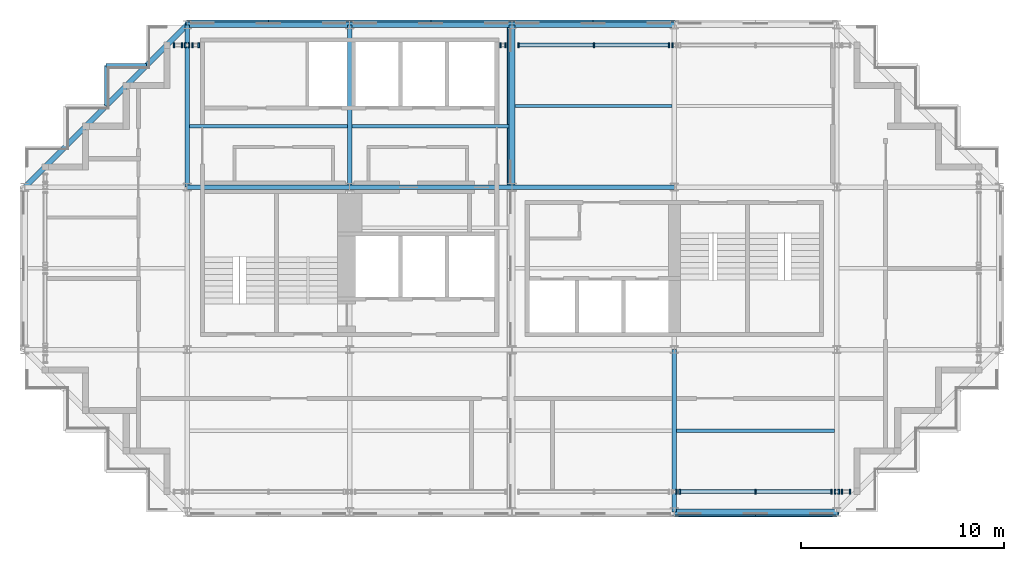
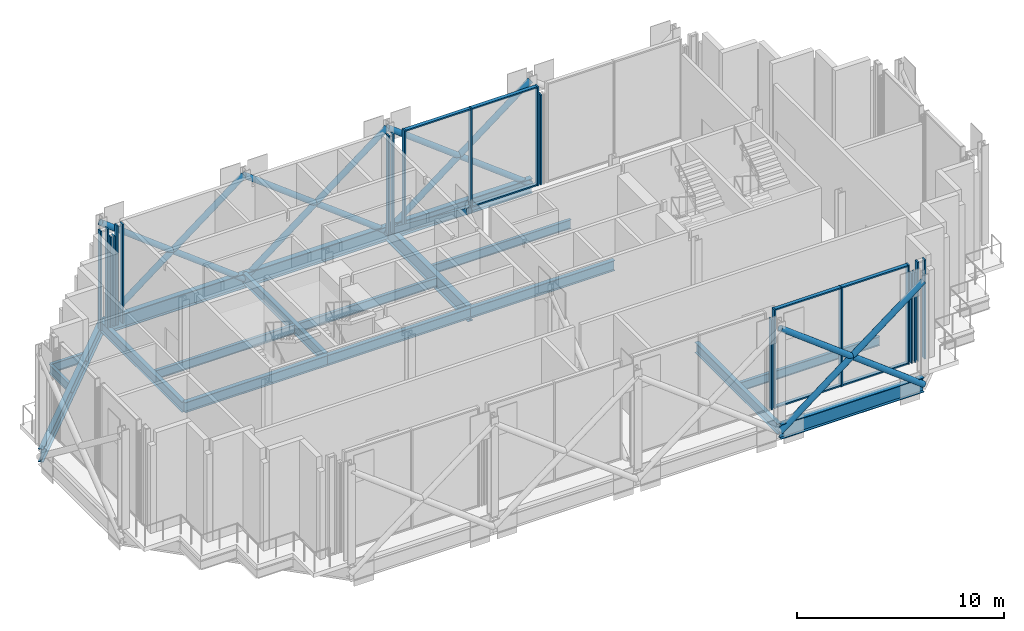
# One storey, part 3 of 16: 37 members, 18 beams, 10 elements without a shape of their own.
"""IFC4 building model written with IfcOpenShell, lengths in metres."""

from ifc_helpers import new_model, si_unit, direction, frame, origin, origin_2d, place, context, subcontext, project, spatial, rectangle, hollow_circle, i_section, extrude, material, material_profile, profile_set, type_object, element, aggregate, save


model = new_model("IFC4")

# Units and contexts
model_context = context("Model", 3, precision=1e-05, world=origin(), true_north=direction((0.0, 1.0)))
body_context = subcontext(model_context, "Body", "Model", "MODEL_VIEW")
ifc_project = project(units=[si_unit("LENGTHUNIT", "METRE"), si_unit("AREAUNIT", "SQUARE_METRE"), si_unit("VOLUMEUNIT", "CUBIC_METRE"), si_unit("PLANEANGLEUNIT", "RADIAN"), si_unit("MASSUNIT", "GRAM", prefix="KILO")], contexts=[model_context])

# Site, building, storey
site_placement = place(None, origin())
site = spatial("IfcSite", under=ifc_project, at=site_placement, CompositionType="ELEMENT")
building_placement = place(site_placement, origin())
building = spatial("IfcBuilding", under=site, at=building_placement, Name="Immortelle Media Tower", CompositionType="ELEMENT")
storey_placement = place(building_placement, frame((0.0, 0.0, 241.0)))
storey = spatial("IfcBuildingStorey", under=building, at=storey_placement, Name="L52", CompositionType="ELEMENT", Elevation=241.0)

# Members
ifc_material_1 = material(Name="Steel ASTM A500 Gr C", Category="steel")
ifc_material_profile_1 = material_profile(ifc_material_1, hollow_circle(Radius=0.162109375, WallThickness=0.011962890625, at=origin_2d()), Name="HSS12.750x0.500 truss diagonal")
ifc_profile_set_1 = profile_set([ifc_material_profile_1], Name="Steel ASTM A500 Gr C")
member_type_1 = type_object("IfcMemberType", Name="HSS12.750x0.500 truss diagonal", PredefinedType="BRACE", material=ifc_profile_set_1)
for number, where, z_axis, x_axis, name in (
    (1, (8.0, 24.072021484375, -0.679443359375), (0.794660608453, 0.0, 0.607053965783), (0.0, 1.0, 0.0), "Belt truss D/2-3 A"),
    (2, (8.0, 24.072021484375, 5.431884765625), (0.794660608453, 0.0, -0.607053965783), (0.0, 1.0, 0.0), "Belt truss D/2-3 B"),
    (3, (16.0, 24.072021484375, -0.679443359375), (0.794660608453, 0.0, 0.607053965783), (0.0, 1.0, 0.0), "Belt truss D/3-4 A"),
    (4, (16.0, 24.072021484375, 5.431884765625), (0.794660608453, 0.0, -0.607053965783), (0.0, 1.0, 0.0), "Belt truss D/3-4 B"),
    (5, (23.927978515625, 16.0, 5.431884765625), (0.0, 0.794660608453, -0.607053965783), (-1.0, 0.0, 0.0), "Belt truss 4/C-D B"),
    (6, (24.0, 24.072021484375, -0.679443359375), (0.794660608453, 0.0, 0.607053965783), (0.0, 1.0, 0.0), "Belt truss D/4-5 A"),
    (7, (24.0, 24.072021484375, 5.431884765625), (0.794660608453, 0.0, -0.607053965783), (0.0, 1.0, 0.0), "Belt truss D/4-5 B"),
    (8, (32.0, -0.072021484375, -0.679443359375), (0.794660608453, 0.0, 0.607053965783), (0.0, 1.0, 0.0), "Belt truss A/5-6 A"),
    (9, (32.0, -0.072021484375, 5.431884765625), (0.794660608453, 0.0, -0.607053965783), (0.0, 1.0, 0.0), "Belt truss A/5-6 B"),
):
    element("IfcMember", number, at=place(storey_placement, frame(where, z_axis=z_axis, x_axis=x_axis)), inside=storey, type_object=member_type_1, Name=name, PredefinedType="BRACE", context=body_context, shape_type="SweptSolid", body=[
        extrude(hollow_circle(Radius=0.162109375, WallThickness=0.011962890625, at=origin_2d()), origin(), (0.0, 0.0, 1.0), 10.067138671875),
    ])

# Curtain wall, member
ifc_material_2 = material(Name="Aluminium curtain wall system", Category="aluminium")
curtain_wall_type = type_object("IfcCurtainWallType", Name="Plant louvre wall curtain wall", PredefinedType="NOTDEFINED", material=ifc_material_2)
curtain_wall_1_placement = place(storey_placement, origin())
curtain_wall_1 = element("IfcCurtainWall", 10, at=curtain_wall_1_placement, inside=storey, type_object=curtain_wall_type, Name="Plant louvre wall L52 S 7-8", PredefinedType="NOTDEFINED")
ifc_material_3 = material(Name="Aluminium 6063-T6", Category="aluminium")
ifc_material_profile_2 = material_profile(ifc_material_3, rectangle(XDim=0.25, YDim=0.080078125, at=origin_2d()), Name="AL 80x250")
ifc_profile_set_2 = profile_set([ifc_material_profile_2], Name="Aluminium 6063-T6")
member_type_2 = type_object("IfcMemberType", Name="Plant louvre wall mullion 80 x 250", PredefinedType="MULLION", material=ifc_profile_set_2)
member_1_placement = place(storey_placement, frame((32.093505859375, 1.0, 0.0), z_axis=(0.0, 0.0, 1.0), x_axis=(0.0, 1.0, 0.0)))
member_1 = element("IfcMember", 11, at=member_1_placement, type_object=member_type_2, Name="CW6 mullion 2", PredefinedType="MULLION", context=body_context, shape_type="SweptSolid", body=[
    extrude(rectangle(XDim=0.25, YDim=0.080078125, at=origin_2d()), origin(), (0.0, 0.0, 1.0), 5.3134765625),
])
aggregate(curtain_wall_1, [member_1])

# Curtain wall, members
curtain_wall_2_placement = place(storey_placement, origin())
curtain_wall_2 = element("IfcCurtainWall", 12, at=curtain_wall_2_placement, inside=storey, type_object=curtain_wall_type, Name="Plant louvre wall L52 S 7-9", PredefinedType="NOTDEFINED")
member_2_placement = place(storey_placement, frame((32.263427734375, 1.0, 0.0), z_axis=(0.0, 0.0, 1.0), x_axis=(0.0, 1.0, 0.0)))
member_2 = element("IfcMember", 13, at=member_2_placement, type_object=member_type_2, Name="CW6 mullion 1", PredefinedType="MULLION", context=body_context, shape_type="SweptSolid", body=[
    extrude(rectangle(XDim=0.25, YDim=0.080078125, at=origin_2d()), origin(), (0.0, 0.0, 1.0), 5.849609375),
])
member_3_placement = place(storey_placement, frame((36.0, 1.0, 0.0), z_axis=(0.0, 0.0, 1.0), x_axis=(0.0, 1.0, 0.0)))
member_3 = element("IfcMember", 14, at=member_3_placement, type_object=member_type_2, Name="CW6 mullion 2", PredefinedType="MULLION", context=body_context, shape_type="SweptSolid", body=[
    extrude(rectangle(XDim=0.25, YDim=0.080078125, at=origin_2d()), origin(), (0.0, 0.0, 1.0), 5.849609375),
])
member_4_placement = place(storey_placement, frame((39.736572265625, 1.0, 0.0), z_axis=(0.0, 0.0, 1.0), x_axis=(0.0, 1.0, 0.0)))
member_4 = element("IfcMember", 15, at=member_4_placement, type_object=member_type_2, Name="CW6 mullion 3", PredefinedType="MULLION", context=body_context, shape_type="SweptSolid", body=[
    extrude(rectangle(XDim=0.25, YDim=0.080078125, at=origin_2d()), origin(), (0.0, 0.0, 1.0), 5.849609375),
])

curtain_wall_3_placement = place(storey_placement, origin())
curtain_wall_3 = element("IfcCurtainWall", 16, at=curtain_wall_3_placement, inside=storey, type_object=curtain_wall_type, Name="Plant louvre wall L52 S 7-10", PredefinedType="NOTDEFINED")
member_5_placement = place(storey_placement, frame((39.906494140625, 1.0, 0.0), z_axis=(0.0, 0.0, 1.0), x_axis=(0.0, 1.0, 0.0)))
member_5 = element("IfcMember", 17, at=member_5_placement, type_object=member_type_2, Name="CW6 mullion 1", PredefinedType="MULLION", context=body_context, shape_type="SweptSolid", body=[
    extrude(rectangle(XDim=0.25, YDim=0.080078125, at=origin_2d()), origin(), (0.0, 0.0, 1.0), 5.3134765625),
])
member_6_placement = place(storey_placement, frame((40.093505859375, 1.0, 0.0), z_axis=(0.0, 0.0, 1.0), x_axis=(0.0, 1.0, 0.0)))
member_6 = element("IfcMember", 18, at=member_6_placement, type_object=member_type_2, Name="CW6 mullion 2", PredefinedType="MULLION", context=body_context, shape_type="SweptSolid", body=[
    extrude(rectangle(XDim=0.25, YDim=0.080078125, at=origin_2d()), origin(), (0.0, 0.0, 1.0), 5.3134765625),
])
aggregate(curtain_wall_3, [member_5, member_6])

curtain_wall_4_placement = place(storey_placement, origin())
curtain_wall_4 = element("IfcCurtainWall", 19, at=curtain_wall_4_placement, inside=storey, type_object=curtain_wall_type, Name="Plant louvre wall L52 S 7-11", PredefinedType="NOTDEFINED")
member_7_placement = place(storey_placement, frame((40.263427734375, 1.0, 0.0), z_axis=(0.0, 0.0, 1.0), x_axis=(0.0, 1.0, 0.0)))
member_7 = element("IfcMember", 20, at=member_7_placement, type_object=member_type_2, Name="CW6 mullion 1", PredefinedType="MULLION", context=body_context, shape_type="SweptSolid", body=[
    extrude(rectangle(XDim=0.25, YDim=0.080078125, at=origin_2d()), origin(), (0.0, 0.0, 1.0), 5.849609375),
])
member_8_placement = place(storey_placement, frame((40.64111328125, 1.0, 0.0), z_axis=(0.0, 0.0, 1.0), x_axis=(0.0, 1.0, 0.0)))
member_8 = element("IfcMember", 21, at=member_8_placement, type_object=member_type_2, Name="CW6 mullion 2", PredefinedType="MULLION", context=body_context, shape_type="SweptSolid", body=[
    extrude(rectangle(XDim=0.25, YDim=0.080078125, at=origin_2d()), origin(), (0.0, 0.0, 1.0), 5.849609375),
])
aggregate(curtain_wall_4, [member_7, member_8])

# Curtain wall, member
curtain_wall_5_placement = place(storey_placement, origin())
curtain_wall_5 = element("IfcCurtainWall", 22, at=curtain_wall_5_placement, inside=storey, type_object=curtain_wall_type, Name="Plant louvre wall L52 N 21-5", PredefinedType="NOTDEFINED")
member_9_placement = place(storey_placement, frame((31.906494140625, 23.0, 0.0), z_axis=(0.0, 0.0, 1.0), x_axis=(0.0, -1.0, 0.0)))
member_9 = element("IfcMember", 23, at=member_9_placement, type_object=member_type_2, Name="CW6 mullion 2", PredefinedType="MULLION", context=body_context, shape_type="SweptSolid", body=[
    extrude(rectangle(XDim=0.25, YDim=0.080078125, at=origin_2d()), origin(), (0.0, 0.0, 1.0), 5.3134765625),
])
aggregate(curtain_wall_5, [member_9])

# Curtain wall, members
curtain_wall_6_placement = place(storey_placement, origin())
curtain_wall_6 = element("IfcCurtainWall", 24, at=curtain_wall_6_placement, inside=storey, type_object=curtain_wall_type, Name="Plant louvre wall L52 N 21-6", PredefinedType="NOTDEFINED")
member_10_placement = place(storey_placement, frame((31.736572265625, 23.0, 0.0), z_axis=(0.0, 0.0, 1.0), x_axis=(0.0, -1.0, 0.0)))
member_10 = element("IfcMember", 25, at=member_10_placement, type_object=member_type_2, Name="CW6 mullion 1", PredefinedType="MULLION", context=body_context, shape_type="SweptSolid", body=[
    extrude(rectangle(XDim=0.25, YDim=0.080078125, at=origin_2d()), origin(), (0.0, 0.0, 1.0), 5.849609375),
])
member_11_placement = place(storey_placement, frame((28.03125, 23.0, 0.0), z_axis=(0.0, 0.0, 1.0), x_axis=(0.0, -1.0, 0.0)))
member_11 = element("IfcMember", 26, at=member_11_placement, type_object=member_type_2, Name="CW6 mullion 2", PredefinedType="MULLION", context=body_context, shape_type="SweptSolid", body=[
    extrude(rectangle(XDim=0.25, YDim=0.080078125, at=origin_2d()), origin(), (0.0, 0.0, 1.0), 5.849609375),
])
member_12_placement = place(storey_placement, frame((24.325927734375, 23.0, 0.0), z_axis=(0.0, 0.0, 1.0), x_axis=(0.0, -1.0, 0.0)))
member_12 = element("IfcMember", 27, at=member_12_placement, type_object=member_type_2, Name="CW6 mullion 3", PredefinedType="MULLION", context=body_context, shape_type="SweptSolid", body=[
    extrude(rectangle(XDim=0.25, YDim=0.080078125, at=origin_2d()), origin(), (0.0, 0.0, 1.0), 5.849609375),
])

curtain_wall_7_placement = place(storey_placement, origin())
curtain_wall_7 = element("IfcCurtainWall", 28, at=curtain_wall_7_placement, inside=storey, type_object=curtain_wall_type, Name="Plant louvre wall L52 N 21-7", PredefinedType="NOTDEFINED")
member_13_placement = place(storey_placement, frame((23.674072265625, 23.0, 0.0), z_axis=(0.0, 0.0, 1.0), x_axis=(0.0, -1.0, 0.0)))
member_13 = element("IfcMember", 29, at=member_13_placement, type_object=member_type_2, Name="CW6 mullion 1", PredefinedType="MULLION", context=body_context, shape_type="SweptSolid", body=[
    extrude(rectangle(XDim=0.25, YDim=0.080078125, at=origin_2d()), origin(), (0.0, 0.0, 1.0), 5.849609375),
])
member_14_placement = place(storey_placement, frame((23.429443359375, 23.0, 0.0), z_axis=(0.0, 0.0, 1.0), x_axis=(0.0, -1.0, 0.0)))
member_14 = element("IfcMember", 30, at=member_14_placement, type_object=member_type_2, Name="CW6 mullion 2", PredefinedType="MULLION", context=body_context, shape_type="SweptSolid", body=[
    extrude(rectangle(XDim=0.25, YDim=0.080078125, at=origin_2d()), origin(), (0.0, 0.0, 1.0), 5.849609375),
])
aggregate(curtain_wall_7, [member_13, member_14])

curtain_wall_8_placement = place(storey_placement, origin())
curtain_wall_8 = element("IfcCurtainWall", 31, at=curtain_wall_8_placement, inside=storey, type_object=curtain_wall_type, Name="Plant louvre wall L52 N 21-8", PredefinedType="NOTDEFINED")
member_15_placement = place(storey_placement, frame((8.570556640625, 23.0, 0.0), z_axis=(0.0, 0.0, 1.0), x_axis=(0.0, -1.0, 0.0)))
member_15 = element("IfcMember", 32, at=member_15_placement, type_object=member_type_2, Name="CW6 mullion 1", PredefinedType="MULLION", context=body_context, shape_type="SweptSolid", body=[
    extrude(rectangle(XDim=0.25, YDim=0.080078125, at=origin_2d()), origin(), (0.0, 0.0, 1.0), 5.849609375),
])
member_16_placement = place(storey_placement, frame((8.263427734375, 23.0, 0.0), z_axis=(0.0, 0.0, 1.0), x_axis=(0.0, -1.0, 0.0)))
member_16 = element("IfcMember", 33, at=member_16_placement, type_object=member_type_2, Name="CW6 mullion 2", PredefinedType="MULLION", context=body_context, shape_type="SweptSolid", body=[
    extrude(rectangle(XDim=0.25, YDim=0.080078125, at=origin_2d()), origin(), (0.0, 0.0, 1.0), 5.849609375),
])
aggregate(curtain_wall_8, [member_15, member_16])

curtain_wall_9_placement = place(storey_placement, origin())
curtain_wall_9 = element("IfcCurtainWall", 34, at=curtain_wall_9_placement, inside=storey, type_object=curtain_wall_type, Name="Plant louvre wall L52 N 21-9", PredefinedType="NOTDEFINED")
member_17_placement = place(storey_placement, frame((8.093505859375, 23.0, 0.0), z_axis=(0.0, 0.0, 1.0), x_axis=(0.0, -1.0, 0.0)))
member_17 = element("IfcMember", 35, at=member_17_placement, type_object=member_type_2, Name="CW6 mullion 1", PredefinedType="MULLION", context=body_context, shape_type="SweptSolid", body=[
    extrude(rectangle(XDim=0.25, YDim=0.080078125, at=origin_2d()), origin(), (0.0, 0.0, 1.0), 5.3134765625),
])
member_18_placement = place(storey_placement, frame((7.906494140625, 23.0, 0.0), z_axis=(0.0, 0.0, 1.0), x_axis=(0.0, -1.0, 0.0)))
member_18 = element("IfcMember", 36, at=member_18_placement, type_object=member_type_2, Name="CW6 mullion 2", PredefinedType="MULLION", context=body_context, shape_type="SweptSolid", body=[
    extrude(rectangle(XDim=0.25, YDim=0.080078125, at=origin_2d()), origin(), (0.0, 0.0, 1.0), 5.3134765625),
])
aggregate(curtain_wall_9, [member_17, member_18])

curtain_wall_10_placement = place(storey_placement, origin())
curtain_wall_10 = element("IfcCurtainWall", 37, at=curtain_wall_10_placement, inside=storey, type_object=curtain_wall_type, Name="Plant louvre wall L52 N 21-10", PredefinedType="NOTDEFINED")
member_19_placement = place(storey_placement, frame((7.736572265625, 23.0, 0.0), z_axis=(0.0, 0.0, 1.0), x_axis=(0.0, -1.0, 0.0)))
member_19 = element("IfcMember", 38, at=member_19_placement, type_object=member_type_2, Name="CW6 mullion 1", PredefinedType="MULLION", context=body_context, shape_type="SweptSolid", body=[
    extrude(rectangle(XDim=0.25, YDim=0.080078125, at=origin_2d()), origin(), (0.0, 0.0, 1.0), 5.849609375),
])
member_20_placement = place(storey_placement, frame((7.35888671875, 23.0, 0.0), z_axis=(0.0, 0.0, 1.0), x_axis=(0.0, -1.0, 0.0)))
member_20 = element("IfcMember", 39, at=member_20_placement, type_object=member_type_2, Name="CW6 mullion 2", PredefinedType="MULLION", context=body_context, shape_type="SweptSolid", body=[
    extrude(rectangle(XDim=0.25, YDim=0.080078125, at=origin_2d()), origin(), (0.0, 0.0, 1.0), 5.849609375),
])
aggregate(curtain_wall_10, [member_19, member_20])

# Member
ifc_material_profile_3 = material_profile(ifc_material_3, rectangle(XDim=0.199951171875, YDim=0.080078125, at=origin_2d()), Name="AL 80x200")
ifc_profile_set_3 = profile_set([ifc_material_profile_3], Name="Aluminium 6063-T6")
member_type_3 = type_object("IfcMemberType", Name="Plant louvre wall transom 80 x 200", PredefinedType="USERDEFINED", material=ifc_profile_set_3)
member_21_placement = place(storey_placement, frame((32.303466796875, 1.0, 0.0400390625), z_axis=(1.0, 0.0, 0.0), x_axis=(0.0, 1.0, 0.0)))
member_21 = element("IfcMember", 40, at=member_21_placement, type_object=member_type_3, Name="CW6 transom 1.1", ObjectType="TRANSOM", PredefinedType="USERDEFINED", context=body_context, shape_type="SweptSolid", body=[
    extrude(rectangle(XDim=0.199951171875, YDim=0.080078125, at=origin_2d()), origin(), (0.0, 0.0, 1.0), 3.656494140625),
])

member_22_placement = place(storey_placement, frame((32.303466796875, 1.0, 5.8095703125), z_axis=(1.0, 0.0, 0.0), x_axis=(0.0, 1.0, 0.0)))
member_22 = element("IfcMember", 41, at=member_22_placement, type_object=member_type_3, Name="CW6 transom 1.2", ObjectType="TRANSOM", PredefinedType="USERDEFINED", context=body_context, shape_type="SweptSolid", body=[
    extrude(rectangle(XDim=0.199951171875, YDim=0.080078125, at=origin_2d()), origin(), (0.0, 0.0, 1.0), 3.656494140625),
])

member_23_placement = place(storey_placement, frame((36.0400390625, 1.0, 0.0400390625), z_axis=(1.0, 0.0, 0.0), x_axis=(0.0, 1.0, 0.0)))
member_23 = element("IfcMember", 42, at=member_23_placement, type_object=member_type_3, Name="CW6 transom 2.1", ObjectType="TRANSOM", PredefinedType="USERDEFINED", context=body_context, shape_type="SweptSolid", body=[
    extrude(rectangle(XDim=0.199951171875, YDim=0.080078125, at=origin_2d()), origin(), (0.0, 0.0, 1.0), 3.656494140625),
])

member_24_placement = place(storey_placement, frame((36.0400390625, 1.0, 5.8095703125), z_axis=(1.0, 0.0, 0.0), x_axis=(0.0, 1.0, 0.0)))
member_24 = element("IfcMember", 43, at=member_24_placement, type_object=member_type_3, Name="CW6 transom 2.2", ObjectType="TRANSOM", PredefinedType="USERDEFINED", context=body_context, shape_type="SweptSolid", body=[
    extrude(rectangle(XDim=0.199951171875, YDim=0.080078125, at=origin_2d()), origin(), (0.0, 0.0, 1.0), 3.656494140625),
])

aggregate(curtain_wall_2, [member_2, member_3, member_4, member_21, member_22, member_23, member_24])

member_25_placement = place(storey_placement, frame((31.696533203125, 23.0, 0.0400390625), z_axis=(-1.0, 0.0, 0.0), x_axis=(0.0, -1.0, 0.0)))
member_25 = element("IfcMember", 44, at=member_25_placement, type_object=member_type_3, Name="CW6 transom 1.1", ObjectType="TRANSOM", PredefinedType="USERDEFINED", context=body_context, shape_type="SweptSolid", body=[
    extrude(rectangle(XDim=0.199951171875, YDim=0.080078125, at=origin_2d()), origin(), (0.0, 0.0, 1.0), 3.625244140625),
])

member_26_placement = place(storey_placement, frame((31.696533203125, 23.0, 5.8095703125), z_axis=(-1.0, 0.0, 0.0), x_axis=(0.0, -1.0, 0.0)))
member_26 = element("IfcMember", 45, at=member_26_placement, type_object=member_type_3, Name="CW6 transom 1.2", ObjectType="TRANSOM", PredefinedType="USERDEFINED", context=body_context, shape_type="SweptSolid", body=[
    extrude(rectangle(XDim=0.199951171875, YDim=0.080078125, at=origin_2d()), origin(), (0.0, 0.0, 1.0), 3.625244140625),
])

member_27_placement = place(storey_placement, frame((27.9912109375, 23.0, 0.0400390625), z_axis=(-1.0, 0.0, 0.0), x_axis=(0.0, -1.0, 0.0)))
member_27 = element("IfcMember", 46, at=member_27_placement, type_object=member_type_3, Name="CW6 transom 2.1", ObjectType="TRANSOM", PredefinedType="USERDEFINED", context=body_context, shape_type="SweptSolid", body=[
    extrude(rectangle(XDim=0.199951171875, YDim=0.080078125, at=origin_2d()), origin(), (0.0, 0.0, 1.0), 3.625244140625),
])

member_28_placement = place(storey_placement, frame((27.9912109375, 23.0, 5.8095703125), z_axis=(-1.0, 0.0, 0.0), x_axis=(0.0, -1.0, 0.0)))
member_28 = element("IfcMember", 47, at=member_28_placement, type_object=member_type_3, Name="CW6 transom 2.2", ObjectType="TRANSOM", PredefinedType="USERDEFINED", context=body_context, shape_type="SweptSolid", body=[
    extrude(rectangle(XDim=0.199951171875, YDim=0.080078125, at=origin_2d()), origin(), (0.0, 0.0, 1.0), 3.625244140625),
])

aggregate(curtain_wall_6, [member_10, member_11, member_12, member_25, member_26, member_27, member_28])

# Beams
ifc_material_4 = material(Name="Steel ASTM A992 Gr 50", Category="steel")
ifc_material_profile_4 = material_profile(ifc_material_4, i_section(OverallWidth=0.1650390625, OverallDepth=0.52587890625, WebThickness=0.009033203125, FlangeThickness=0.010986328125, at=origin_2d()), Name="W21x44")
ifc_profile_set_4 = profile_set([ifc_material_profile_4], Name="Steel ASTM A992 Gr 50")
beam_type_1 = type_object("IfcBeamType", Name="W21x44 secondary beam", PredefinedType="JOIST", material=ifc_profile_set_4)
for number, where, z_axis, x_axis, name in (
    (48, (32.114501953125, 4.0, -0.512939453125), (1.0, 0.0, 0.0), (0.0, 1.0, 0.0), "Beam A-B/5-6"),
    (49, (8.114501953125, 19.0, -0.512939453125), (1.0, 0.0, 0.0), (0.0, 1.0, 0.0), "Beam C-D/2-3"),
):
    element("IfcBeam", number, at=place(storey_placement, frame(where, z_axis=z_axis, x_axis=x_axis)), inside=storey, type_object=beam_type_1, Name=name, PredefinedType="JOIST", context=body_context, shape_type="SweptSolid", body=[
        extrude(i_section(OverallWidth=0.1650390625, OverallDepth=0.52587890625, WebThickness=0.009033203125, FlangeThickness=0.010986328125, at=origin_2d()), origin(), (0.0, 0.0, 1.0), 7.77099609375),
    ])
for number, where, z_axis, x_axis, name in (
    (50, (16.114501953125, 19.0, -0.512939453125), (1.0, 0.0, 0.0), (0.0, 1.0, 0.0), "Beam C-D/3-4"),
    (51, (24.14599609375, 20.0, -0.512939453125), (1.0, 0.0, 0.0), (0.0, 1.0, 0.0), "Beam C-D/4-5"),
):
    element("IfcBeam", number, at=place(storey_placement, frame(where, z_axis=z_axis, x_axis=x_axis)), inside=storey, type_object=beam_type_1, Name=name, PredefinedType="JOIST", context=body_context, shape_type="SweptSolid", body=[
        extrude(i_section(OverallWidth=0.1650390625, OverallDepth=0.52587890625, WebThickness=0.009033203125, FlangeThickness=0.010986328125, at=origin_2d()), origin(), (0.0, 0.0, 1.0), 7.739501953125),
    ])
ifc_material_profile_5 = material_profile(ifc_material_4, i_section(OverallWidth=0.1650390625, OverallDepth=0.52587890625, WebThickness=0.009033203125, FlangeThickness=0.010986328125, at=origin_2d()), Name="W21x44")
ifc_profile_set_5 = profile_set([ifc_material_profile_5], Name="Steel ASTM A992 Gr 50")
beam_type_2 = type_object("IfcBeamType", Name="W21x44 serration edge beam", PredefinedType="SPANDREL", material=ifc_profile_set_5)
for number, where, z_axis, x_axis, name in (
    (52, (4.0, 20.0, -0.512939453125), (0.0, 1.0, 0.0), (-1.0, 0.0, 0.0), "Corner edge beam 3 at 1/D"),
    (53, (4.0, 22.0, -0.512939453125), (1.0, 0.0, 0.0), (0.0, 1.0, 0.0), "Corner edge beam 4 at 1/D"),
):
    element("IfcBeam", number, at=place(storey_placement, frame(where, z_axis=z_axis, x_axis=x_axis)), inside=storey, type_object=beam_type_2, Name=name, PredefinedType="SPANDREL", context=body_context, shape_type="SweptSolid", body=[
        extrude(i_section(OverallWidth=0.1650390625, OverallDepth=0.52587890625, WebThickness=0.009033203125, FlangeThickness=0.010986328125, at=origin_2d()), origin(), (0.0, 0.0, 1.0), 2.0),
    ])
ifc_material_profile_6 = material_profile(ifc_material_4, i_section(OverallWidth=0.22900390625, OverallDepth=0.612060546875, WebThickness=0.011962890625, FlangeThickness=0.02001953125, at=origin_2d()), Name="W24x84")
ifc_profile_set_6 = profile_set([ifc_material_profile_6], Name="Steel ASTM A992 Gr 50")
beam_type_3 = type_object("IfcBeamType", Name="W24x84 girder", PredefinedType="BEAM", material=ifc_profile_set_6)
for number, where, z_axis, x_axis, name in (
    (54, (8.0, 16.0, -0.555908203125), (1.0, 0.0, 0.0), (0.0, 1.0, 0.0), "Girder C/2-3"),
    (55, (8.0, 16.0, -0.555908203125), (0.0, 1.0, 0.0), (-1.0, 0.0, 0.0), "Girder 2/C-D"),
    (56, (16.0, 16.0, -0.555908203125), (1.0, 0.0, 0.0), (0.0, 1.0, 0.0), "Girder C/3-4"),
    (57, (16.0, 16.0, -0.555908203125), (0.0, 1.0, 0.0), (-1.0, 0.0, 0.0), "Girder 3/C-D"),
    (58, (24.0, 16.0, -0.555908203125), (1.0, 0.0, 0.0), (0.0, 1.0, 0.0), "Girder C/4-5"),
    (59, (32.0, 0.0, -0.555908203125), (0.0, 1.0, 0.0), (-1.0, 0.0, 0.0), "Girder 5/A-B"),
):
    element("IfcBeam", number, at=place(storey_placement, frame(where, z_axis=z_axis, x_axis=x_axis)), inside=storey, type_object=beam_type_3, Name=name, PredefinedType="BEAM", context=body_context, shape_type="SweptSolid", body=[
        extrude(i_section(OverallWidth=0.22900390625, OverallDepth=0.612060546875, WebThickness=0.011962890625, FlangeThickness=0.02001953125, at=origin_2d()), origin(), (0.0, 0.0, 1.0), 8.0),
    ])
ifc_material_profile_7 = material_profile(ifc_material_4, i_section(OverallWidth=0.26708984375, OverallDepth=0.780029296875, WebThickness=0.01708984375, FlangeThickness=0.030029296875, at=origin_2d()), Name="W30x148")
ifc_profile_set_7 = profile_set([ifc_material_profile_7], Name="Steel ASTM A992 Gr 50")
beam_type_4 = type_object("IfcBeamType", Name="W30x148 corner girder", PredefinedType="SPANDREL", material=ifc_profile_set_7)
beam_placement = place(storey_placement, frame((0.0, 16.0, -0.639892578125), z_axis=(0.707106781187, 0.707106781187, 0.0), x_axis=(-0.707106781187, 0.707106781187, 0.0)))
element("IfcBeam", 60, at=beam_placement, inside=storey, type_object=beam_type_4, Name="Corner girder at 1/D", PredefinedType="SPANDREL", context=body_context, shape_type="SweptSolid", body=[
    extrude(i_section(OverallWidth=0.26708984375, OverallDepth=0.780029296875, WebThickness=0.01708984375, FlangeThickness=0.030029296875, at=origin_2d()), origin(), (0.0, 0.0, 1.0), 11.313720703125),
])
ifc_material_profile_8 = material_profile(ifc_material_4, i_section(OverallWidth=0.2919921875, OverallDepth=0.85888671875, WebThickness=0.01708984375, FlangeThickness=0.031005859375, at=origin_2d()), Name="W33x169")
ifc_profile_set_8 = profile_set([ifc_material_profile_8], Name="Steel ASTM A992 Gr 50")
beam_type_5 = type_object("IfcBeamType", Name="W33x169 perimeter girder", PredefinedType="SPANDREL", material=ifc_profile_set_8)
for number, where, z_axis, x_axis, name in (
    (61, (8.0, 24.0, -0.679443359375), (1.0, 0.0, 0.0), (0.0, 1.0, 0.0), "Girder D/2-3"),
    (62, (16.0, 24.0, -0.679443359375), (1.0, 0.0, 0.0), (0.0, 1.0, 0.0), "Girder D/3-4"),
    (63, (24.0, 16.0, -0.679443359375), (0.0, 1.0, 0.0), (-1.0, 0.0, 0.0), "Girder 4/C-D"),
    (64, (24.0, 24.0, -0.679443359375), (1.0, 0.0, 0.0), (0.0, 1.0, 0.0), "Girder D/4-5"),
    (65, (32.0, 0.0, -0.679443359375), (1.0, 0.0, 0.0), (0.0, 1.0, 0.0), "Girder A/5-6"),
):
    element("IfcBeam", number, at=place(storey_placement, frame(where, z_axis=z_axis, x_axis=x_axis)), inside=storey, type_object=beam_type_5, Name=name, PredefinedType="SPANDREL", context=body_context, shape_type="SweptSolid", body=[
        extrude(i_section(OverallWidth=0.2919921875, OverallDepth=0.85888671875, WebThickness=0.01708984375, FlangeThickness=0.031005859375, at=origin_2d()), origin(), (0.0, 0.0, 1.0), 8.0),
    ])

save(model, "model.ifc")
